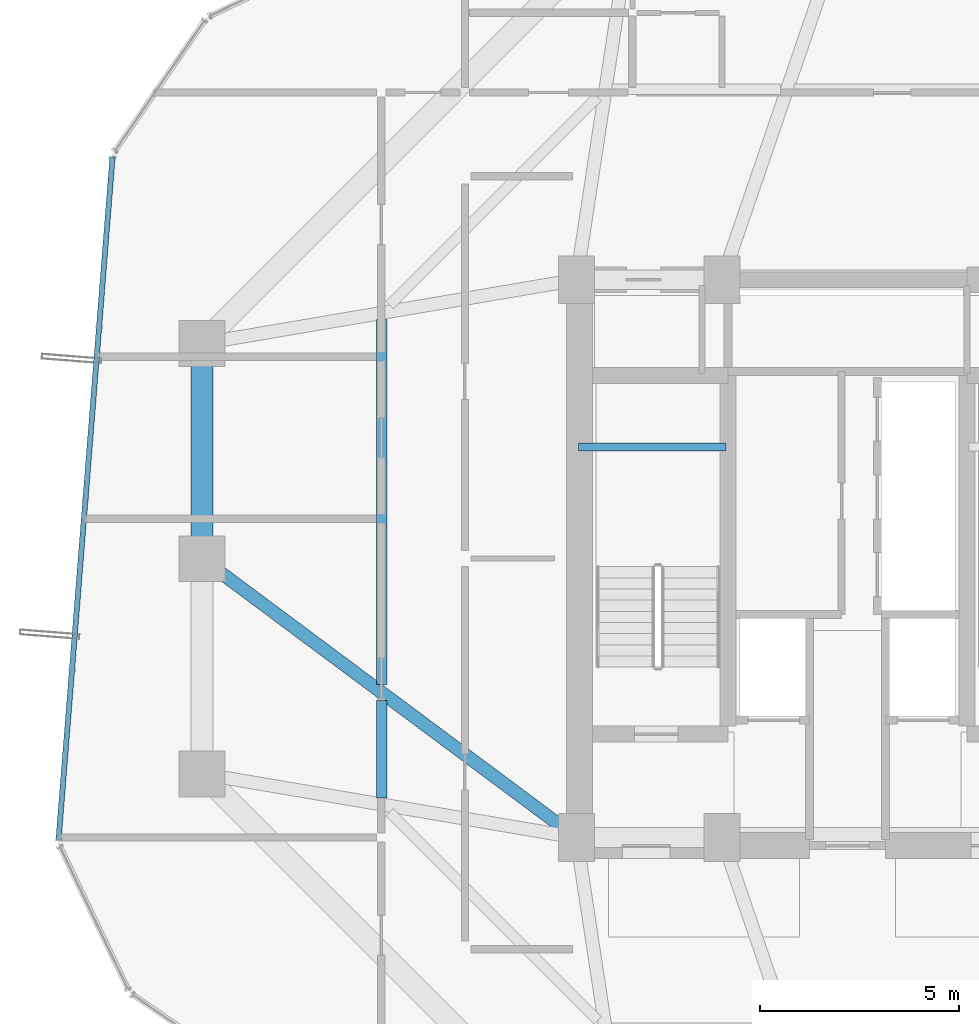
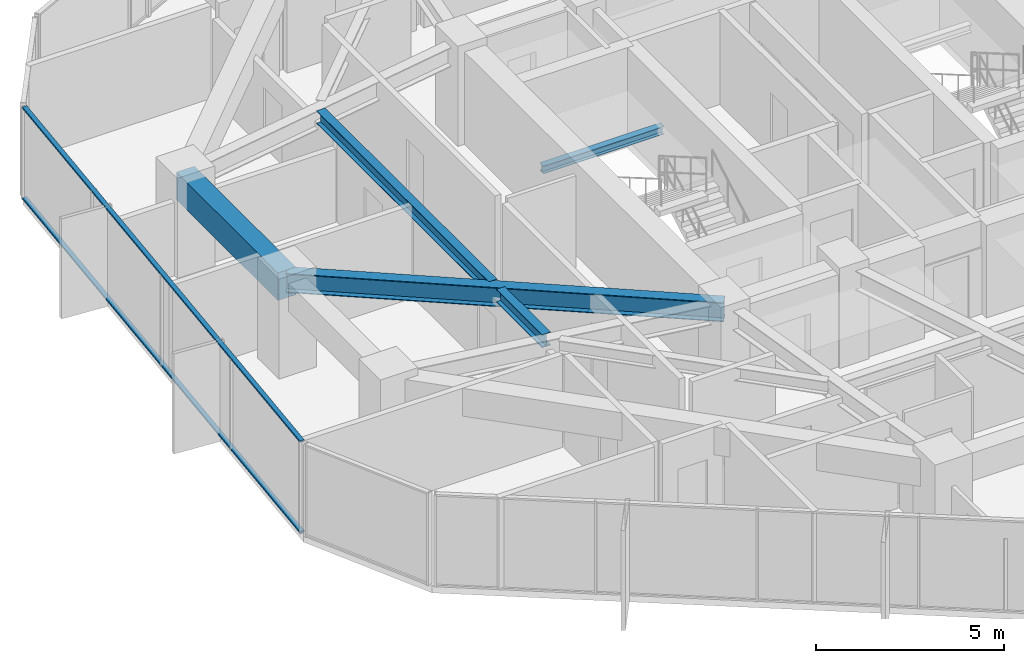
# One storey, part 9 of 30: 5 beams, 2 members, 1 element without a shape of its own.
"""IFC4 building model written with IfcOpenShell, lengths in metres."""

from ifc_helpers import new_model, si_unit, direction, frame, origin, origin_2d, place, context, subcontext, project, spatial, rectangle, hollow_rectangle, i_section, extrude, source, transform, mapped, material, layer, layer_set, material_profile, profile_set, type_object, element, aggregate, save


model = new_model("IFC4")

# Units and contexts
model_context = context("Model", 3, precision=1e-05, world=origin(), true_north=direction((0.0, 1.0)))
body_context = subcontext(model_context, "Body", "Model", "MODEL_VIEW")
ifc_project = project(units=[si_unit("LENGTHUNIT", "METRE"), si_unit("AREAUNIT", "SQUARE_METRE"), si_unit("VOLUMEUNIT", "CUBIC_METRE"), si_unit("PLANEANGLEUNIT", "RADIAN"), si_unit("MASSUNIT", "GRAM", prefix="KILO")], contexts=[model_context])

# Site, building, storey
site_placement = place(None, origin())
site = spatial("IfcSite", under=ifc_project, at=site_placement, CompositionType="ELEMENT")
building_placement = place(site_placement, origin())
building = spatial("IfcBuilding", under=site, at=building_placement, Name="Veraguas Prism Commons", CompositionType="ELEMENT")
storey_placement = place(building_placement, frame((0.0, 0.0, 113.25)))
storey = spatial("IfcBuildingStorey", under=building, at=storey_placement, Name="L31", CompositionType="ELEMENT", Elevation=113.25)

# Beams
ifc_material_1 = material(Name="Steel ASTM A992 Grade 50", Category="steel")
ifc_material_profile_1 = material_profile(ifc_material_1, i_section(OverallWidth=0.260986328125, OverallDepth=0.419921875, WebThickness=0.01171875, FlangeThickness=0.019287109375, at=origin_2d()), Name="W410X114")
ifc_profile_set_1 = profile_set([ifc_material_profile_1], Name="Steel ASTM A992 Grade 50")
beam_type_1 = type_object("IfcBeamType", Name="Lower Floor Joist W410x114", PredefinedType="JOIST", material=ifc_profile_set_1)
beam_1_placement = place(storey_placement, frame((12.31201171875, 30.003662109375, 2.7900390625), z_axis=(0.0, -1.0, 0.0), x_axis=(1.0, 0.0, 0.0)))
element("IfcBeam", 1, at=beam_1_placement, inside=storey, type_object=beam_type_1, Name="Composite Floor Joist L31-JS07", PredefinedType="JOIST", context=body_context, shape_type="SweptSolid", body=[
    extrude(i_section(OverallWidth=0.260986328125, OverallDepth=0.419921875, WebThickness=0.01171875, FlangeThickness=0.019287109375, at=origin_2d()), origin(), (0.0, 0.0, 1.0), 9.16162109375),
])
beam_2_placement = place(storey_placement, frame((12.31201171875, 20.43798828125, 2.7900390625), z_axis=(0.0, -1.0, 0.0), x_axis=(1.0, 0.0, 0.0)))
element("IfcBeam", 2, at=beam_2_placement, inside=storey, type_object=beam_type_1, Name="Composite Floor Joist L31-JS08", PredefinedType="JOIST", context=body_context, shape_type="SweptSolid", body=[
    extrude(i_section(OverallWidth=0.260986328125, OverallDepth=0.419921875, WebThickness=0.01171875, FlangeThickness=0.019287109375, at=origin_2d()), origin(), (0.0, 0.0, 1.0), 2.441650390625),
])
ifc_material_2 = material(Name="Concrete C50/60", Category="concrete")
ifc_material_profile_2 = material_profile(ifc_material_2, rectangle(XDim=0.550048828125, YDim=0.89990234375, at=origin_2d()), Name="RC550X900")
ifc_profile_set_2 = profile_set([ifc_material_profile_2], Name="Concrete C50/60")
beam_type_2 = type_object("IfcBeamType", Name="Perimeter Spandrel Lower RC 550x900", PredefinedType="SPANDREL", material=ifc_profile_set_2)
beam_3_placement = place(storey_placement, frame((7.800048828125, 29.39990234375, 2.550048828125), z_axis=(0.0, -1.0, 0.0), x_axis=(1.0, 0.0, 0.0)))
element("IfcBeam", 3, at=beam_3_placement, inside=storey, type_object=beam_type_2, Name="Perimeter Spandrel Beam L31-SP07", PredefinedType="SPANDREL", context=body_context, shape_type="SweptSolid", body=[
    extrude(rectangle(XDim=0.550048828125, YDim=0.89990234375, at=origin_2d()), origin(), (0.0, 0.0, 1.0), 5.39990234375),
])
ifc_material_profile_3 = material_profile(ifc_material_1, i_section(OverallWidth=0.202880859375, OverallDepth=0.251953125, WebThickness=0.008056640625, FlangeThickness=0.013427734375, at=origin_2d()), Name="W250X58")
ifc_profile_set_3 = profile_set([ifc_material_profile_3], Name="Steel ASTM A992 Grade 50")
beam_type_3 = type_object("IfcBeamType", Name="Structural Opening Lintel W250x58", PredefinedType="LINTEL", material=ifc_profile_set_3)
beam_4_placement = place(storey_placement, frame((17.25, 26.800048828125, 1.299072265625), z_axis=(1.0, 0.0, 0.0), x_axis=(0.0, 1.0, 0.0)))
element("IfcBeam", 4, at=beam_4_placement, inside=storey, type_object=beam_type_3, Name="Stair ST-01 Half-Landing Support Beam L31-1", PredefinedType="LINTEL", context=body_context, shape_type="SweptSolid", body=[
    extrude(i_section(OverallWidth=0.202880859375, OverallDepth=0.251953125, WebThickness=0.008056640625, FlangeThickness=0.013427734375, at=origin_2d()), origin(), (0.0, 0.0, 1.0), 3.699951171875),
])
ifc_material_profile_4 = material_profile(ifc_material_1, i_section(OverallWidth=0.327880859375, OverallDepth=0.6220703125, WebThickness=0.015380859375, FlangeThickness=0.0244140625, at=origin_2d()), Name="W610X195")
ifc_profile_set_4 = profile_set([ifc_material_profile_4], Name="Steel ASTM A992 Grade 50")
beam_type_4 = type_object("IfcBeamType", Name="Zone 2 Radial Girder W610x195", PredefinedType="BEAM", material=ifc_profile_set_4)
beam_5_placement = place(storey_placement, frame((7.800048828125, 24.0, 2.68896484375), z_axis=(0.802040137921, -0.597270137512, 0.0), x_axis=(0.597270137512, 0.802040137921, 0.0)))
element("IfcBeam", 5, at=beam_5_placement, inside=storey, type_object=beam_type_4, Name="Radial Floor Girder L31-RD08", PredefinedType="BEAM", context=body_context, shape_type="SweptSolid", body=[
    extrude(i_section(OverallWidth=0.327880859375, OverallDepth=0.6220703125, WebThickness=0.015380859375, FlangeThickness=0.0244140625, at=origin_2d()), origin(), (0.0, 0.0, 1.0), 11.719970703125),
])

# Curtain wall, members
ifc_material_3 = material(Name="Anodised aluminium EN AW-6063 T6", Category="aluminium")
ifc_layer = layer(ifc_material_3, 0.169921875, Name="Unitised Flush Curtain Wall Zone 2", Category="aluminium")
ifc_layer_set = layer_set([ifc_layer], Name="Anodised aluminium EN AW-6063 T6")
curtain_wall_type = type_object("IfcCurtainWallType", Name="Unitised Flush Curtain Wall Zone 2", PredefinedType="NOTDEFINED", material=ifc_layer_set)
curtain_wall_placement = place(storey_placement, origin())
curtain_wall = element("IfcCurtainWall", 6, at=curtain_wall_placement, inside=storey, type_object=curtain_wall_type, Name="Tower Facade Curtain Wall L31-F3", PredefinedType="NOTDEFINED")
ifc_material_profile_5 = material_profile(ifc_material_3, hollow_rectangle(XDim=0.054931640625, YDim=0.135009765625, WallThickness=0.0029296875, at=origin_2d()), Name="AL55X135X3")
ifc_profile_set_5 = profile_set([ifc_material_profile_5], Name="Anodised aluminium EN AW-6063 T6")
member_type = type_object("IfcMemberType", Name="Curtain Wall Transom Standard AL 55x135x3", PredefinedType="USERDEFINED", material=ifc_profile_set_5)
shared_shape = source(origin(), body_context, "Body", "SweptSolid", [
    extrude(hollow_rectangle(XDim=0.054931640625, YDim=0.135009765625, WallThickness=0.0029296875, at=origin_2d()), origin(), (0.0, 0.0, 1.0), 17.174560546875),
])
member_1_placement = place(storey_placement, frame((5.553955078125, 34.072265625, 0.027587890625), z_axis=(-0.078809554552, -0.996889690042, 0.0), x_axis=(0.0, 0.0, 1.0)))
member_1 = element("IfcMember", 7, at=member_1_placement, type_object=member_type, Name="CW-Z2 Transom 1", ObjectType="TRANSOM", PredefinedType="USERDEFINED", context=body_context, shape_type="MappedRepresentation", body=[
    mapped(shared_shape, transform((0.0, 0.0, 0.0), scale=1.0)),
])
member_2_placement = place(storey_placement, frame((5.553955078125, 34.072265625, 2.972412109375), z_axis=(-0.078809554552, -0.996889690042, 0.0), x_axis=(0.0, 0.0, 1.0)))
member_2 = element("IfcMember", 8, at=member_2_placement, type_object=member_type, Name="CW-Z2 Transom 2", ObjectType="TRANSOM", PredefinedType="USERDEFINED", context=body_context, shape_type="MappedRepresentation", body=[
    mapped(shared_shape, transform((0.0, 0.0, 0.0), scale=1.0)),
])
aggregate(curtain_wall, [member_1, member_2])

save(model, "model.ifc")
